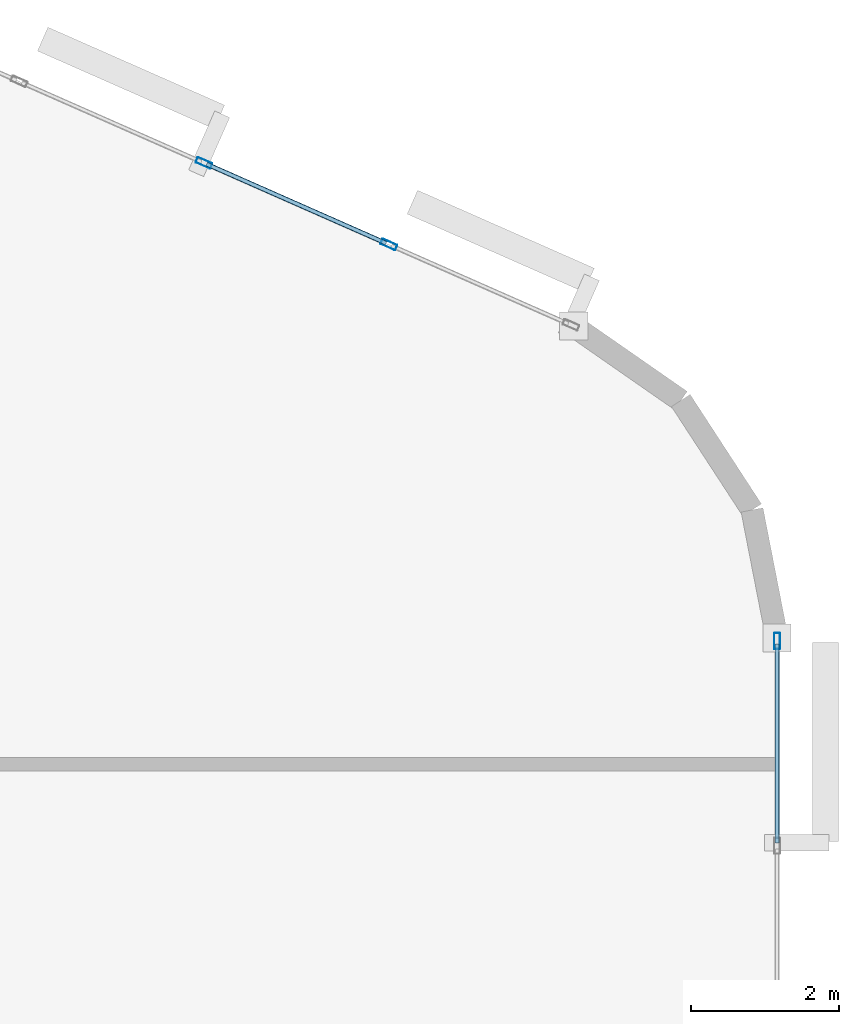
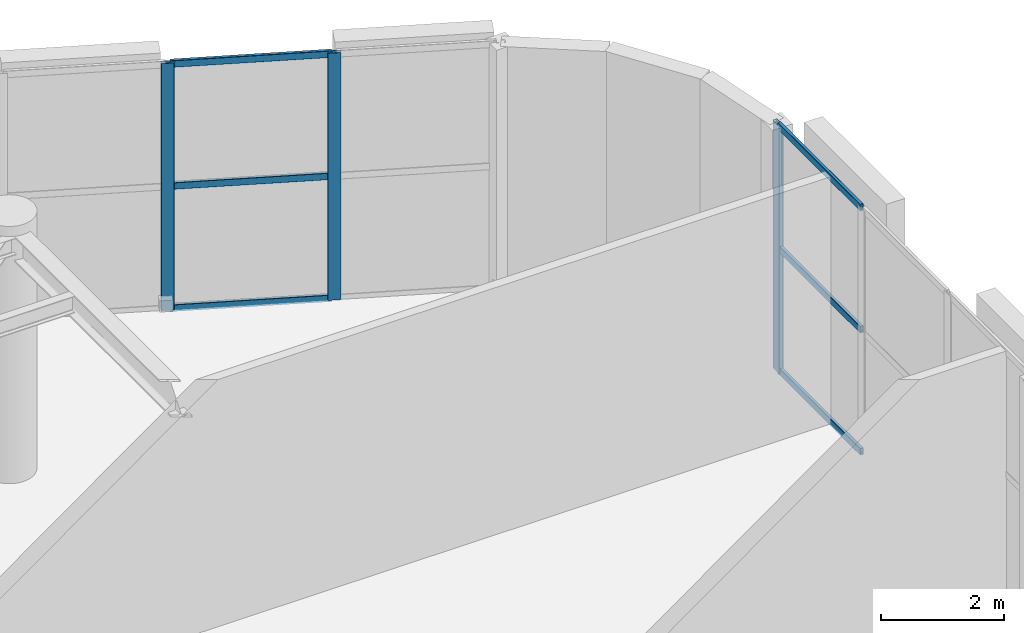
# One storey, part 6 of 12: 9 members, 2 elements without a shape of their own.
"""IFC4 building model written with IfcOpenShell, lengths in metres."""

import ifcopenshell
import ifcopenshell.guid

model = None  # the IFC model being written
_history = None  # IfcOwnerHistory: only IFC2X3 demands one
_inside = {}  # id of a spatial element -> (the spatial element, [elements in it])
_under = {}  # id of a project, library or spatial element -> (it, [spatial elements below it])
_declared = {}  # id of a project -> (the project, [libraries it declares])
_typed = {}  # id of a type object -> (the type object, [elements of that type])
_made_of = {}  # id of a material, layer set ... -> (it, [elements and type objects made of it])


def new_model(schema):
    """Start an empty IFC model of exactly this schema.

    Asked for "IFC4X3", IfcOpenShell would pick the latest addendum, in which some entities
    have other attributes; the version numbers below select the first issue.
    IFC2X3 requires an IfcOwnerHistory on every rooted entity: one is made here for all.
    """
    global model, _history
    if schema == "IFC4X3":
        model = ifcopenshell.file(schema_version=(4, 3, 0, 0))
    else:
        model = ifcopenshell.file(schema=schema)
    _inside.clear()
    _under.clear()
    _declared.clear()
    _typed.clear()
    _made_of.clear()
    _history = None
    if model.schema == "IFC2X3":
        org = make("IfcOrganization", Name="unknown")
        user = make(
            "IfcPersonAndOrganization",
            ThePerson=make("IfcPerson", FamilyName="unknown"),
            TheOrganization=org,
        )
        app = make(
            "IfcApplication",
            ApplicationDeveloper=org,
            Version="unknown",
            ApplicationFullName="unknown",
            ApplicationIdentifier="unknown",
        )
        _history = make(
            "IfcOwnerHistory",
            OwningUser=user,
            OwningApplication=app,
            ChangeAction="ADDED",
            CreationDate=0,
        )
    return model


def make(cls, **values):
    """One entity of the class cls with the attributes given. An attribute that is None is left unset."""
    return model.create_entity(
        cls, **{name: value for name, value in values.items() if value is not None}
    )


def rooted(cls, **values):
    """An entity with a GlobalId (a new one), such as an element, a storey or a relation."""
    return make(cls, GlobalId=ifcopenshell.guid.new(), OwnerHistory=_history, **values)


def si_unit(unit_type, name, prefix=None):
    """IfcSIUnit, for example si_unit("LENGTHUNIT", "METRE", prefix="MILLI")."""
    return make("IfcSIUnit", UnitType=unit_type, Prefix=prefix, Name=name)


def assignment(units):
    """IfcUnitAssignment: the units of a project."""
    return None if units is None else make("IfcUnitAssignment", Units=units)


def point(xyz):
    """IfcCartesianPoint."""
    return None if xyz is None else make("IfcCartesianPoint", Coordinates=xyz)


def direction(xyz):
    """IfcDirection."""
    return None if xyz is None else make("IfcDirection", DirectionRatios=xyz)


def frame(location, z_axis=None, x_axis=None):
    """IfcAxis2Placement3D, a coordinate frame: its origin and axes. An axis left out is left unset."""
    return make(
        "IfcAxis2Placement3D",
        Location=point(location),
        Axis=direction(z_axis),
        RefDirection=direction(x_axis),
    )


def frame_2d(location, x_axis=None):
    """IfcAxis2Placement2D, a coordinate frame in the plane: its origin and x axis."""
    return make(
        "IfcAxis2Placement2D", Location=point(location), RefDirection=direction(x_axis)
    )


def origin():
    """The frame at (0, 0, 0) with its axes left unset."""
    return frame((0.0, 0.0, 0.0))


def origin_2d():
    """The frame at (0, 0) in the plane with its x axis left unset."""
    return frame_2d((0.0, 0.0))


def place(relative_to, where):
    """IfcLocalPlacement: puts the frame where relative to a parent placement (None: the world)."""
    return make(
        "IfcLocalPlacement", PlacementRelTo=relative_to, RelativePlacement=where
    )


def context(
    kind, dimensions, precision=None, world=None, true_north=None, identifier=None
):
    """IfcGeometricRepresentationContext, for example the 3D "Model" context."""
    return make(
        "IfcGeometricRepresentationContext",
        ContextIdentifier=identifier,
        ContextType=kind,
        CoordinateSpaceDimension=dimensions,
        Precision=precision,
        WorldCoordinateSystem=world,
        TrueNorth=true_north,
    )


def subcontext(parent, identifier, kind, view, scale=None):
    """IfcGeometricRepresentationSubContext, for example "Body" below "Model"."""
    return make(
        "IfcGeometricRepresentationSubContext",
        ContextIdentifier=identifier,
        ContextType=kind,
        ParentContext=parent,
        TargetScale=scale,
        TargetView=view,
    )


def project(units=None, contexts=None):
    """IfcProject with its units and contexts."""
    return rooted(
        "IfcProject",
        Name="project",
        RepresentationContexts=contexts,
        UnitsInContext=assignment(units),
    )


def spatial(cls, under=None, at=None, **own):
    """A site, building, storey or space (cls), placed at a placement, below another one or the project."""
    s = rooted(cls, ObjectPlacement=at, **own)
    if under is not None:
        _under.setdefault(under.id(), (under, []))[1].append(s)
    return s


def profile(cls, at=None, kind="AREA", **sizes):
    """A parametric profile (cls). Its sizes go by their IFC names, for example OverallWidth=200.0."""
    return make(cls, ProfileType=kind, Position=at, **sizes)


def hollow_rectangle(**sizes):
    """IfcRectangleHollowProfileDef."""
    return profile("IfcRectangleHollowProfileDef", **sizes)


def extrude(swept, where, along, depth):
    """IfcExtrudedAreaSolid: the profile swept, set in the frame where, extruded along a direction by depth."""
    return make(
        "IfcExtrudedAreaSolid",
        SweptArea=swept,
        Position=where,
        ExtrudedDirection=direction(along),
        Depth=depth,
    )


def shape(context_of_items, identifier, shape_type, items):
    """IfcShapeRepresentation: the items that make up one representation, for example the "Body"."""
    return make(
        "IfcShapeRepresentation",
        ContextOfItems=context_of_items,
        RepresentationIdentifier=identifier,
        RepresentationType=shape_type,
        Items=items,
    )


def material(Name=None, Category=None):
    """IfcMaterial."""
    return make("IfcMaterial", Name=Name, Category=Category)


def layer(
    of_material, thickness, ventilated=None, Name=None, Category=None, Priority=None
):
    """IfcMaterialLayer: one layer of a wall or slab, of a material (None: an air gap)."""
    return make(
        "IfcMaterialLayer",
        Material=of_material,
        LayerThickness=thickness,
        IsVentilated=ventilated,
        Name=Name,
        Category=Category,
        Priority=Priority,
    )


def layer_set(layers, Name=None):
    """IfcMaterialLayerSet."""
    return make("IfcMaterialLayerSet", MaterialLayers=layers, LayerSetName=Name)


def material_profile(
    of_material, cross_section, Name=None, Category=None, Priority=None
):
    """IfcMaterialProfile: a cross section and its material."""
    return make(
        "IfcMaterialProfile",
        Name=Name,
        Material=of_material,
        Profile=cross_section,
        Priority=Priority,
        Category=Category,
    )


def profile_set(profiles, Name=None, composite=None):
    """IfcMaterialProfileSet."""
    return make(
        "IfcMaterialProfileSet",
        Name=Name,
        MaterialProfiles=profiles,
        CompositeProfile=composite,
    )


def made_of(thing, what):
    """Note that an element or type object is made of a material, layer set ...; save() writes the relation."""
    if what is not None:
        _made_of.setdefault(what.id(), (what, []))[1].append(thing)
    return thing


def type_object(cls, material=None, **own):
    """A type object (cls), such as IfcWallType, which elements share."""
    return made_of(rooted(cls, **own), material)


def element(
    cls,
    number,
    at=None,
    inside=None,
    cuts=None,
    type_object=None,
    material=None,
    context=None,
    identifier="Body",
    shape_type=None,
    held_by="IfcProductDefinitionShape",
    body=None,
    shapes=None,
    **own,
):
    """One element of the class cls, such as IfcWall. Its Tag is "e" and its number.

    at: its placement. inside: the storey or other place that contains it. cuts: it is an
    opening in that element (IfcRelVoidsElement). A single representation is given by context,
    identifier, shape_type and body (its items); several are given by shapes. held_by: the class
    of the entity that holds the representations. save() writes the other relations.
    """
    e = rooted(cls, Tag="e%d" % number, ObjectPlacement=at, **own)
    if body is not None:
        shapes = [shape(context, identifier, shape_type, body)]
    if shapes is not None:
        e.Representation = make(held_by, Representations=shapes)
    if inside is not None:
        _inside.setdefault(inside.id(), (inside, []))[1].append(e)
    if cuts is not None:
        rooted(
            "IfcRelVoidsElement", RelatingBuildingElement=cuts, RelatedOpeningElement=e
        )
    if type_object is not None:
        _typed.setdefault(type_object.id(), (type_object, []))[1].append(e)
    return made_of(e, material)


def aggregate(whole, parts):
    """IfcRelAggregates: a whole, such as a stair, and the parts it consists of."""
    return rooted("IfcRelAggregates", RelatingObject=whole, RelatedObjects=parts)


def save(model, path):
    """Write the relations noted so far, then the file.

    IfcRelAggregates (storeys below a building ...), IfcRelContainedInSpatialStructure (elements
    in a storey), IfcRelDefinesByType, IfcRelAssociatesMaterial and IfcRelDeclares: one each for
    every whole, place, type object, material and project.
    """
    for whole, parts in _under.values():
        aggregate(whole, parts)
    for where, things in _inside.values():
        rooted(
            "IfcRelContainedInSpatialStructure",
            RelatedElements=things,
            RelatingStructure=where,
        )
    for kind, things in _typed.values():
        rooted("IfcRelDefinesByType", RelatedObjects=things, RelatingType=kind)
    for what, things in _made_of.values():
        rooted("IfcRelAssociatesMaterial", RelatedObjects=things, RelatingMaterial=what)
    for by, libraries in _declared.values():
        rooted("IfcRelDeclares", RelatingContext=by, RelatedDefinitions=libraries)
    model.write(path)


model = new_model("IFC4")

# Units and contexts
model_context = context("Model", 3, precision=1e-05, world=origin(), true_north=direction((0.0, 1.0)))
body_context = subcontext(model_context, "Body", "Model", "MODEL_VIEW")
ifc_project = project(units=[si_unit("LENGTHUNIT", "METRE"), si_unit("AREAUNIT", "SQUARE_METRE"), si_unit("VOLUMEUNIT", "CUBIC_METRE"), si_unit("PLANEANGLEUNIT", "RADIAN"), si_unit("MASSUNIT", "GRAM", prefix="KILO")], contexts=[model_context])

# Site, building, storey
site_placement = place(None, origin())
site = spatial("IfcSite", under=ifc_project, at=site_placement, CompositionType="ELEMENT")
building_placement = place(site_placement, origin())
building = spatial("IfcBuilding", under=site, at=building_placement, Name="An Khanh Terracotta Commons", CompositionType="ELEMENT")
storey_placement = place(building_placement, frame((0.0, 0.0, 253.699951171875)))
storey = spatial("IfcBuildingStorey", under=building, at=storey_placement, Name="L66", CompositionType="ELEMENT", Elevation=253.699951171875)

# Curtain wall, member
ifc_material = material(Name="Anodised Aluminium 6063-T6", Category="aluminium")
ifc_layer = layer(ifc_material, 0.239990234375, Name="Anodised Aluminium 6063-T6")
ifc_layer_set = layer_set([ifc_layer], Name="Anodised Aluminium 6063-T6")
curtain_wall_type = type_object("IfcCurtainWallType", Name="CW-SYS-04", PredefinedType="USERDEFINED", material=ifc_layer_set)
curtain_wall_1_placement = place(storey_placement, origin())
curtain_wall_1 = element("IfcCurtainWall", 1, at=curtain_wall_1_placement, inside=storey, type_object=curtain_wall_type, Name="L66 CW-04 Unitised Curtain Wall CW-L66-12", ObjectType="UNITISED CURTAIN WALL", PredefinedType="USERDEFINED")
ifc_material_profile_1 = material_profile(ifc_material, hollow_rectangle(XDim=0.080078125, YDim=0.219970703125, WallThickness=0.0048828125, InnerFilletRadius=0.0048828125, OuterFilletRadius=0.010009765625, at=origin_2d()), Name="RHS220x80x5")
ifc_profile_set_1 = profile_set([ifc_material_profile_1], Name="Anodised Aluminium 6063-T6")
member_type_1 = type_object("IfcMemberType", Name="CWM-RHS220x80x5", PredefinedType="MULLION", material=ifc_profile_set_1)
member_1_placement = place(storey_placement, frame((75.60009765625, 28.162109375, 0.0), z_axis=(0.0, 0.0, 1.0), x_axis=(-1.0, 0.0, 0.0)))
member_1 = element("IfcMember", 2, at=member_1_placement, type_object=member_type_1, Name="CW-04 mullion 4", PredefinedType="MULLION", context=body_context, shape_type="SweptSolid", body=[
    extrude(hollow_rectangle(XDim=0.080078125, YDim=0.219970703125, WallThickness=0.0048828125, InnerFilletRadius=0.0048828125, OuterFilletRadius=0.010009765625, at=origin_2d()), origin(), (0.0, 0.0, 1.0), 4.900146484375),
])

# Curtain wall, members
curtain_wall_2_placement = place(storey_placement, origin())
curtain_wall_2 = element("IfcCurtainWall", 3, at=curtain_wall_2_placement, inside=storey, type_object=curtain_wall_type, Name="L66 CW-04 Unitised Curtain Wall CW-L66-16", ObjectType="UNITISED CURTAIN WALL", PredefinedType="USERDEFINED")
member_2_placement = place(storey_placement, frame((70.364501953125, 33.509765625, 0.0), z_axis=(0.0, 0.0, 1.0), x_axis=(-0.403676354285, -0.914901853201, 0.0)))
member_2 = element("IfcMember", 4, at=member_2_placement, type_object=member_type_1, Name="CW-04 mullion 2", PredefinedType="MULLION", context=body_context, shape_type="SweptSolid", body=[
    extrude(hollow_rectangle(XDim=0.080078125, YDim=0.219970703125, WallThickness=0.0048828125, InnerFilletRadius=0.0048828125, OuterFilletRadius=0.010009765625, at=origin_2d()), origin(), (0.0, 0.0, 1.0), 4.900146484375),
])
member_3_placement = place(storey_placement, frame((67.8720703125, 34.609619140625, 0.0), z_axis=(0.0, 0.0, 1.0), x_axis=(-0.403676354285, -0.914901853201, 0.0)))
member_3 = element("IfcMember", 5, at=member_3_placement, type_object=member_type_1, Name="CW-04 mullion 3", PredefinedType="MULLION", context=body_context, shape_type="SweptSolid", body=[
    extrude(hollow_rectangle(XDim=0.080078125, YDim=0.219970703125, WallThickness=0.0048828125, InnerFilletRadius=0.0048828125, OuterFilletRadius=0.010009765625, at=origin_2d()), origin(), (0.0, 0.0, 1.0), 4.900146484375),
])

# Member
ifc_material_profile_2 = material_profile(ifc_material, hollow_rectangle(XDim=0.06005859375, YDim=0.135009765625, WallThickness=0.003662109375, InnerFilletRadius=0.003662109375, OuterFilletRadius=0.007080078125, at=origin_2d()), Name="RHS135x60x3.6")
ifc_profile_set_2 = profile_set([ifc_material_profile_2], Name="Anodised Aluminium 6063-T6")
member_type_2 = type_object("IfcMemberType", Name="CWT-RHS135x60x3.6", PredefinedType="USERDEFINED", material=ifc_profile_set_2)
member_4_placement = place(storey_placement, frame((75.60009765625, 25.440673828125, 0.030029296875), z_axis=(0.0, 1.0, 0.0), x_axis=(-1.0, 0.0, 0.0)))
member_4 = element("IfcMember", 6, at=member_4_placement, type_object=member_type_2, Name="CW-04 transom 3.1", ObjectType="TRANSOM", PredefinedType="USERDEFINED", context=body_context, shape_type="SweptSolid", body=[
    extrude(hollow_rectangle(XDim=0.06005859375, YDim=0.135009765625, WallThickness=0.003662109375, InnerFilletRadius=0.003662109375, OuterFilletRadius=0.007080078125, at=origin_2d()), origin(), (0.0, 0.0, 1.0), 2.681396484375),
])

member_5_placement = place(storey_placement, frame((75.60009765625, 25.440673828125, 2.449951171875), z_axis=(0.0, 1.0, 0.0), x_axis=(-1.0, 0.0, 0.0)))
member_5 = element("IfcMember", 7, at=member_5_placement, type_object=member_type_2, Name="CW-04 transom 3.2", ObjectType="TRANSOM", PredefinedType="USERDEFINED", context=body_context, shape_type="SweptSolid", body=[
    extrude(hollow_rectangle(XDim=0.06005859375, YDim=0.135009765625, WallThickness=0.003662109375, InnerFilletRadius=0.003662109375, OuterFilletRadius=0.007080078125, at=origin_2d()), origin(), (0.0, 0.0, 1.0), 2.681396484375),
])

member_6_placement = place(storey_placement, frame((75.60009765625, 25.440673828125, 4.8701171875), z_axis=(0.0, 1.0, 0.0), x_axis=(-1.0, 0.0, 0.0)))
member_6 = element("IfcMember", 8, at=member_6_placement, type_object=member_type_2, Name="CW-04 transom 3.3", ObjectType="TRANSOM", PredefinedType="USERDEFINED", context=body_context, shape_type="SweptSolid", body=[
    extrude(hollow_rectangle(XDim=0.06005859375, YDim=0.135009765625, WallThickness=0.003662109375, InnerFilletRadius=0.003662109375, OuterFilletRadius=0.007080078125, at=origin_2d()), origin(), (0.0, 0.0, 1.0), 2.681396484375),
])

aggregate(curtain_wall_1, [member_1, member_4, member_5, member_6])

member_7_placement = place(storey_placement, frame((70.327880859375, 33.52587890625, 0.030029296875), z_axis=(-0.914904763816, 0.403669757534, 0.0), x_axis=(-0.403669757534, -0.914904763816, 0.0)))
member_7 = element("IfcMember", 9, at=member_7_placement, type_object=member_type_2, Name="CW-04 transom 2.1", ObjectType="TRANSOM", PredefinedType="USERDEFINED", context=body_context, shape_type="SweptSolid", body=[
    extrude(hollow_rectangle(XDim=0.06005859375, YDim=0.135009765625, WallThickness=0.003662109375, InnerFilletRadius=0.003662109375, OuterFilletRadius=0.007080078125, at=origin_2d()), origin(), (0.0, 0.0, 1.0), 2.644287109375),
])

member_8_placement = place(storey_placement, frame((70.327880859375, 33.52587890625, 2.449951171875), z_axis=(-0.914904763816, 0.403669757534, 0.0), x_axis=(-0.403669757534, -0.914904763816, 0.0)))
member_8 = element("IfcMember", 10, at=member_8_placement, type_object=member_type_2, Name="CW-04 transom 2.2", ObjectType="TRANSOM", PredefinedType="USERDEFINED", context=body_context, shape_type="SweptSolid", body=[
    extrude(hollow_rectangle(XDim=0.06005859375, YDim=0.135009765625, WallThickness=0.003662109375, InnerFilletRadius=0.003662109375, OuterFilletRadius=0.007080078125, at=origin_2d()), origin(), (0.0, 0.0, 1.0), 2.644287109375),
])

member_9_placement = place(storey_placement, frame((70.327880859375, 33.52587890625, 4.8701171875), z_axis=(-0.914904763816, 0.403669757534, 0.0), x_axis=(-0.403669757534, -0.914904763816, 0.0)))
member_9 = element("IfcMember", 11, at=member_9_placement, type_object=member_type_2, Name="CW-04 transom 2.3", ObjectType="TRANSOM", PredefinedType="USERDEFINED", context=body_context, shape_type="SweptSolid", body=[
    extrude(hollow_rectangle(XDim=0.06005859375, YDim=0.135009765625, WallThickness=0.003662109375, InnerFilletRadius=0.003662109375, OuterFilletRadius=0.007080078125, at=origin_2d()), origin(), (0.0, 0.0, 1.0), 2.644287109375),
])

aggregate(curtain_wall_2, [member_2, member_3, member_7, member_8, member_9])

save(model, "model.ifc")
